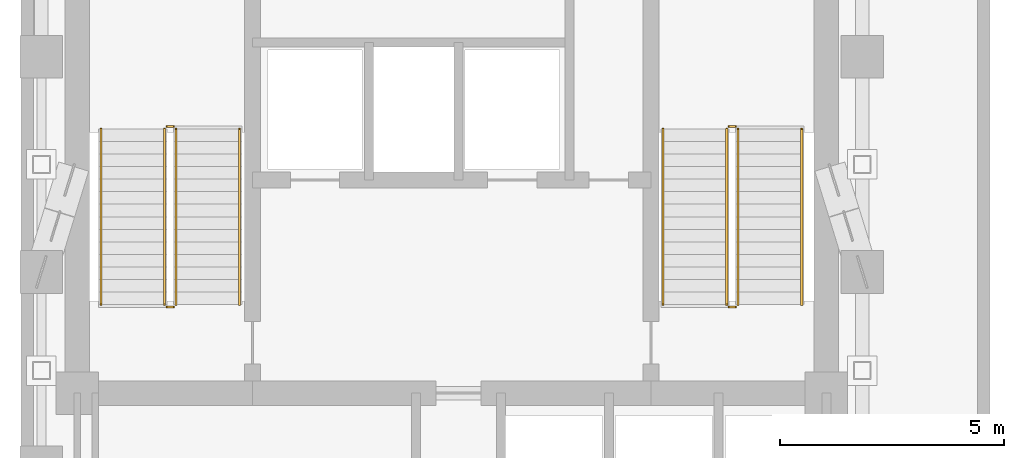
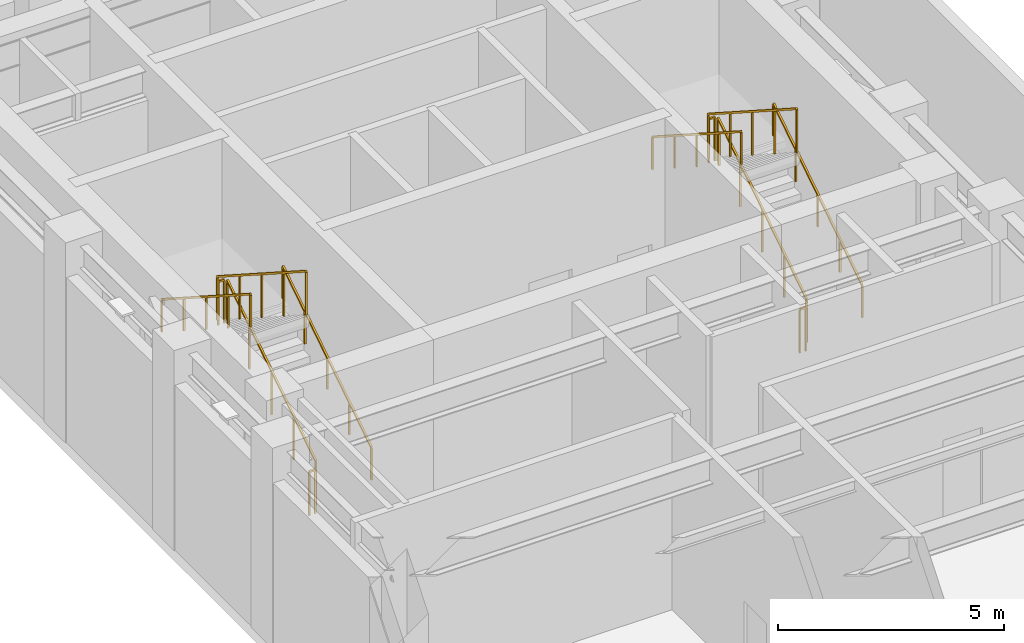
# One storey, part 8 of 9: 12 railings.
"""IFC4 building model written with IfcOpenShell, lengths in metres."""

from ifc_helpers import new_model, si_unit, direction, frame, origin, origin_2d, place, context, subcontext, project, spatial, rectangle, extrude, material, type_object, element, save


model = new_model("IFC4")

# Units and contexts
model_context = context("Model", 3, precision=1e-05, world=origin(), true_north=direction((0.0, 1.0)))
body_context = subcontext(model_context, "Body", "Model", "MODEL_VIEW")
ifc_project = project(units=[si_unit("LENGTHUNIT", "METRE"), si_unit("AREAUNIT", "SQUARE_METRE"), si_unit("VOLUMEUNIT", "CUBIC_METRE"), si_unit("PLANEANGLEUNIT", "RADIAN"), si_unit("MASSUNIT", "GRAM", prefix="KILO")], contexts=[model_context])

# Site, building, storey
site_placement = place(None, origin())
site = spatial("IfcSite", under=ifc_project, at=site_placement, CompositionType="ELEMENT")
building_placement = place(site_placement, origin())
building = spatial("IfcBuilding", under=site, at=building_placement, Name="Orvandelia Arch Residences", CompositionType="ELEMENT")
storey_placement = place(building_placement, frame((0.0, 0.0, 198.39990234375)))
storey = spatial("IfcBuildingStorey", under=building, at=storey_placement, Name="L52", CompositionType="ELEMENT", Elevation=198.39990234375)

# Railings
ifc_material = material(Name="Brushed Stainless Steel 304", Category="steel")
railing_type_1 = type_object("IfcRailingType", Name="RL-STAIR-GD1120", PredefinedType="GUARDRAIL", material=ifc_material)
railing_1_placement = place(storey_placement, frame((8.25, 32.8701171875, 0.18017578125)))
element("IfcRailing", 1, at=railing_1_placement, inside=storey, type_object=railing_type_1, Name="L52 ST-1 stair guard 1", PredefinedType="GUARDRAIL", context=body_context, shape_type="SweptSolid", body=[
    extrude(rectangle(XDim=0.048095703125, YDim=0.048095703125, at=origin_2d()), frame((0.0, 0.0, 1.17578125), z_axis=(0.0, 0.841171666519, 0.540768182723), x_axis=(-1.0, 0.0, 0.0)), (0.0, 0.0, 1.0), 4.66015625),
    extrude(rectangle(XDim=0.0419921875, YDim=0.0419921875, at=origin_2d()), origin(), (0.0, 0.0, 1.0), 1.15185546875),
    extrude(rectangle(XDim=0.0419921875, YDim=0.0419921875, at=origin_2d()), frame((0.0, 0.97998046875, 0.6298828125)), (0.0, 0.0, 1.0), 1.15185546875),
    extrude(rectangle(XDim=0.0419921875, YDim=0.0419921875, at=origin_2d()), frame((0.0, 1.9599609375, 1.260009765625)), (0.0, 0.0, 1.0), 1.15185546875),
    extrude(rectangle(XDim=0.0419921875, YDim=0.0419921875, at=origin_2d()), frame((0.0, 2.93994140625, 1.89013671875)), (0.0, 0.0, 1.0), 1.15185546875),
    extrude(rectangle(XDim=0.0419921875, YDim=0.0419921875, at=origin_2d()), frame((0.0, 3.919921875, 2.52001953125)), (0.0, 0.0, 1.0), 1.15185546875),
])
railing_2_placement = place(storey_placement, frame((8.199951171875, 36.840087890625, 2.7001953125)))
element("IfcRailing", 2, at=railing_2_placement, inside=storey, type_object=railing_type_1, Name="L52 ST-1 stair guard 2", PredefinedType="GUARDRAIL", context=body_context, shape_type="SweptSolid", body=[
    extrude(rectangle(XDim=0.048095703125, YDim=0.048095703125, at=origin_2d()), frame((0.0, 0.0, 1.17578125), z_axis=(-1.0, 0.0, 0.0), x_axis=(0.0, -1.0, 0.0)), (0.0, 0.0, 1.0), 0.14990234375),
    extrude(rectangle(XDim=0.0419921875, YDim=0.0419921875, at=origin_2d()), origin(), (0.0, 0.0, 1.0), 1.15185546875),
    extrude(rectangle(XDim=0.0419921875, YDim=0.0419921875, at=origin_2d()), frame((-0.14990234375, 0.0, 0.0)), (0.0, 0.0, 1.0), 1.15185546875),
])
railing_3_placement = place(storey_placement, frame((8.0, 36.7900390625, 2.880126953125)))
element("IfcRailing", 3, at=railing_3_placement, inside=storey, type_object=railing_type_1, Name="L52 ST-1 stair guard 3", PredefinedType="GUARDRAIL", context=body_context, shape_type="SweptSolid", body=[
    extrude(rectangle(XDim=0.048095703125, YDim=0.048095703125, at=origin_2d()), frame((0.0, 0.0, 1.17578125), z_axis=(0.0, -0.841171666519, 0.540768182723), x_axis=(1.0, 0.0, 0.0)), (0.0, 0.0, 1.0), 4.66015625),
    extrude(rectangle(XDim=0.0419921875, YDim=0.0419921875, at=origin_2d()), origin(), (0.0, 0.0, 1.0), 1.15185546875),
    extrude(rectangle(XDim=0.0419921875, YDim=0.0419921875, at=origin_2d()), frame((0.0, -0.97998046875, 0.6298828125)), (0.0, 0.0, 1.0), 1.15185546875),
    extrude(rectangle(XDim=0.0419921875, YDim=0.0419921875, at=origin_2d()), frame((0.0, -1.9599609375, 1.260009765625)), (0.0, 0.0, 1.0), 1.15185546875),
    extrude(rectangle(XDim=0.0419921875, YDim=0.0419921875, at=origin_2d()), frame((0.0, -2.93994140625, 1.89013671875)), (0.0, 0.0, 1.0), 1.15185546875),
    extrude(rectangle(XDim=0.0419921875, YDim=0.0419921875, at=origin_2d()), frame((0.0, -3.919921875, 2.52001953125)), (0.0, 0.0, 1.0), 1.15185546875),
])
railing_4_placement = place(storey_placement, frame((8.199951171875, 32.820068359375, 0.0)))
element("IfcRailing", 4, at=railing_4_placement, inside=storey, type_object=railing_type_1, Name="L52 ST-1 stair guard 4", PredefinedType="GUARDRAIL", context=body_context, shape_type="SweptSolid", body=[
    extrude(rectangle(XDim=0.048095703125, YDim=0.048095703125, at=origin_2d()), frame((0.0, 0.0, 1.17578125), z_axis=(-1.0, 0.0, 0.0), x_axis=(0.0, -1.0, 0.0)), (0.0, 0.0, 1.0), 0.14990234375),
    extrude(rectangle(XDim=0.0419921875, YDim=0.0419921875, at=origin_2d()), origin(), (0.0, 0.0, 1.0), 1.15185546875),
    extrude(rectangle(XDim=0.0419921875, YDim=0.0419921875, at=origin_2d()), frame((-0.14990234375, 0.0, 0.0)), (0.0, 0.0, 1.0), 1.15185546875),
])
railing_5_placement = place(storey_placement, frame((20.780029296875, 32.8701171875, 0.18017578125)))
element("IfcRailing", 5, at=railing_5_placement, inside=storey, type_object=railing_type_1, Name="L52 ST-2 stair guard 1", PredefinedType="GUARDRAIL", context=body_context, shape_type="SweptSolid", body=[
    extrude(rectangle(XDim=0.048095703125, YDim=0.048095703125, at=origin_2d()), frame((0.0, 0.0, 1.17578125), z_axis=(0.0, 0.841171666519, 0.540768182723), x_axis=(-1.0, 0.0, 0.0)), (0.0, 0.0, 1.0), 4.66015625),
    extrude(rectangle(XDim=0.0419921875, YDim=0.0419921875, at=origin_2d()), origin(), (0.0, 0.0, 1.0), 1.15185546875),
    extrude(rectangle(XDim=0.0419921875, YDim=0.0419921875, at=origin_2d()), frame((0.0, 0.97998046875, 0.6298828125)), (0.0, 0.0, 1.0), 1.15185546875),
    extrude(rectangle(XDim=0.0419921875, YDim=0.0419921875, at=origin_2d()), frame((0.0, 1.9599609375, 1.260009765625)), (0.0, 0.0, 1.0), 1.15185546875),
    extrude(rectangle(XDim=0.0419921875, YDim=0.0419921875, at=origin_2d()), frame((0.0, 2.93994140625, 1.89013671875)), (0.0, 0.0, 1.0), 1.15185546875),
    extrude(rectangle(XDim=0.0419921875, YDim=0.0419921875, at=origin_2d()), frame((0.0, 3.919921875, 2.52001953125)), (0.0, 0.0, 1.0), 1.15185546875),
])
railing_6_placement = place(storey_placement, frame((20.72998046875, 36.840087890625, 2.7001953125)))
element("IfcRailing", 6, at=railing_6_placement, inside=storey, type_object=railing_type_1, Name="L52 ST-2 stair guard 2", PredefinedType="GUARDRAIL", context=body_context, shape_type="SweptSolid", body=[
    extrude(rectangle(XDim=0.048095703125, YDim=0.048095703125, at=origin_2d()), frame((0.0, 0.0, 1.17578125), z_axis=(-1.0, 0.0, 0.0), x_axis=(0.0, -1.0, 0.0)), (0.0, 0.0, 1.0), 0.14990234375),
    extrude(rectangle(XDim=0.0419921875, YDim=0.0419921875, at=origin_2d()), origin(), (0.0, 0.0, 1.0), 1.15185546875),
    extrude(rectangle(XDim=0.0419921875, YDim=0.0419921875, at=origin_2d()), frame((-0.14990234375, 0.0, 0.0)), (0.0, 0.0, 1.0), 1.15185546875),
])
railing_7_placement = place(storey_placement, frame((20.530029296875, 36.7900390625, 2.880126953125)))
element("IfcRailing", 7, at=railing_7_placement, inside=storey, type_object=railing_type_1, Name="L52 ST-2 stair guard 3", PredefinedType="GUARDRAIL", context=body_context, shape_type="SweptSolid", body=[
    extrude(rectangle(XDim=0.048095703125, YDim=0.048095703125, at=origin_2d()), frame((0.0, 0.0, 1.17578125), z_axis=(0.0, -0.841171666519, 0.540768182723), x_axis=(1.0, 0.0, 0.0)), (0.0, 0.0, 1.0), 4.66015625),
    extrude(rectangle(XDim=0.0419921875, YDim=0.0419921875, at=origin_2d()), origin(), (0.0, 0.0, 1.0), 1.15185546875),
    extrude(rectangle(XDim=0.0419921875, YDim=0.0419921875, at=origin_2d()), frame((0.0, -0.97998046875, 0.6298828125)), (0.0, 0.0, 1.0), 1.15185546875),
    extrude(rectangle(XDim=0.0419921875, YDim=0.0419921875, at=origin_2d()), frame((0.0, -1.9599609375, 1.260009765625)), (0.0, 0.0, 1.0), 1.15185546875),
    extrude(rectangle(XDim=0.0419921875, YDim=0.0419921875, at=origin_2d()), frame((0.0, -2.93994140625, 1.89013671875)), (0.0, 0.0, 1.0), 1.15185546875),
    extrude(rectangle(XDim=0.0419921875, YDim=0.0419921875, at=origin_2d()), frame((0.0, -3.919921875, 2.52001953125)), (0.0, 0.0, 1.0), 1.15185546875),
])
railing_8_placement = place(storey_placement, frame((20.72998046875, 32.820068359375, 0.0)))
element("IfcRailing", 8, at=railing_8_placement, inside=storey, type_object=railing_type_1, Name="L52 ST-2 stair guard 4", PredefinedType="GUARDRAIL", context=body_context, shape_type="SweptSolid", body=[
    extrude(rectangle(XDim=0.048095703125, YDim=0.048095703125, at=origin_2d()), frame((0.0, 0.0, 1.17578125), z_axis=(-1.0, 0.0, 0.0), x_axis=(0.0, -1.0, 0.0)), (0.0, 0.0, 1.0), 0.14990234375),
    extrude(rectangle(XDim=0.0419921875, YDim=0.0419921875, at=origin_2d()), origin(), (0.0, 0.0, 1.0), 1.15185546875),
    extrude(rectangle(XDim=0.0419921875, YDim=0.0419921875, at=origin_2d()), frame((-0.14990234375, 0.0, 0.0)), (0.0, 0.0, 1.0), 1.15185546875),
])
railing_type_2 = type_object("IfcRailingType", Name="RL-STAIR-HR920", PredefinedType="HANDRAIL", material=ifc_material)
railing_9_placement = place(storey_placement, frame((9.669921875, 32.8701171875, 0.360107421875)))
element("IfcRailing", 9, at=railing_9_placement, inside=storey, type_object=railing_type_2, Name="L52 ST-1 stair handrail 1", PredefinedType="HANDRAIL", context=body_context, shape_type="SweptSolid", body=[
    extrude(rectangle(XDim=0.048095703125, YDim=0.048095703125, at=origin_2d()), frame((0.0, 0.0, 0.8759765625), z_axis=(0.0, 0.841171666519, 0.540768182723), x_axis=(-1.0, 0.0, 0.0)), (0.0, 0.0, 1.0), 4.66015625),
    extrude(rectangle(XDim=0.0419921875, YDim=0.0419921875, at=origin_2d()), origin(), (0.0, 0.0, 1.0), 0.851806640625),
    extrude(rectangle(XDim=0.0419921875, YDim=0.0419921875, at=origin_2d()), frame((0.0, 0.97998046875, 0.6298828125)), (0.0, 0.0, 1.0), 0.851806640625),
    extrude(rectangle(XDim=0.0419921875, YDim=0.0419921875, at=origin_2d()), frame((0.0, 1.9599609375, 1.260009765625)), (0.0, 0.0, 1.0), 0.851806640625),
    extrude(rectangle(XDim=0.0419921875, YDim=0.0419921875, at=origin_2d()), frame((0.0, 2.93994140625, 1.89013671875)), (0.0, 0.0, 1.0), 0.851806640625),
    extrude(rectangle(XDim=0.0419921875, YDim=0.0419921875, at=origin_2d()), frame((0.0, 3.919921875, 2.52001953125)), (0.0, 0.0, 1.0), 0.851806640625),
])
railing_10_placement = place(storey_placement, frame((6.580078125, 36.7900390625, 3.06005859375)))
element("IfcRailing", 10, at=railing_10_placement, inside=storey, type_object=railing_type_2, Name="L52 ST-1 stair handrail 2", PredefinedType="HANDRAIL", context=body_context, shape_type="SweptSolid", body=[
    extrude(rectangle(XDim=0.048095703125, YDim=0.048095703125, at=origin_2d()), frame((0.0, 0.0, 0.8759765625), z_axis=(0.0, -0.841171666519, 0.540768182723), x_axis=(1.0, 0.0, 0.0)), (0.0, 0.0, 1.0), 4.66015625),
    extrude(rectangle(XDim=0.0419921875, YDim=0.0419921875, at=origin_2d()), origin(), (0.0, 0.0, 1.0), 0.851806640625),
    extrude(rectangle(XDim=0.0419921875, YDim=0.0419921875, at=origin_2d()), frame((0.0, -0.97998046875, 0.6298828125)), (0.0, 0.0, 1.0), 0.851806640625),
    extrude(rectangle(XDim=0.0419921875, YDim=0.0419921875, at=origin_2d()), frame((0.0, -1.9599609375, 1.260009765625)), (0.0, 0.0, 1.0), 0.851806640625),
    extrude(rectangle(XDim=0.0419921875, YDim=0.0419921875, at=origin_2d()), frame((0.0, -2.93994140625, 1.89013671875)), (0.0, 0.0, 1.0), 0.851806640625),
    extrude(rectangle(XDim=0.0419921875, YDim=0.0419921875, at=origin_2d()), frame((0.0, -3.919921875, 2.52001953125)), (0.0, 0.0, 1.0), 0.851806640625),
])
railing_11_placement = place(storey_placement, frame((22.199951171875, 32.8701171875, 0.360107421875)))
element("IfcRailing", 11, at=railing_11_placement, inside=storey, type_object=railing_type_2, Name="L52 ST-2 stair handrail 1", PredefinedType="HANDRAIL", context=body_context, shape_type="SweptSolid", body=[
    extrude(rectangle(XDim=0.048095703125, YDim=0.048095703125, at=origin_2d()), frame((0.0, 0.0, 0.8759765625), z_axis=(0.0, 0.841171666519, 0.540768182723), x_axis=(-1.0, 0.0, 0.0)), (0.0, 0.0, 1.0), 4.66015625),
    extrude(rectangle(XDim=0.0419921875, YDim=0.0419921875, at=origin_2d()), origin(), (0.0, 0.0, 1.0), 0.851806640625),
    extrude(rectangle(XDim=0.0419921875, YDim=0.0419921875, at=origin_2d()), frame((0.0, 0.97998046875, 0.6298828125)), (0.0, 0.0, 1.0), 0.851806640625),
    extrude(rectangle(XDim=0.0419921875, YDim=0.0419921875, at=origin_2d()), frame((0.0, 1.9599609375, 1.260009765625)), (0.0, 0.0, 1.0), 0.851806640625),
    extrude(rectangle(XDim=0.0419921875, YDim=0.0419921875, at=origin_2d()), frame((0.0, 2.93994140625, 1.89013671875)), (0.0, 0.0, 1.0), 0.851806640625),
    extrude(rectangle(XDim=0.0419921875, YDim=0.0419921875, at=origin_2d()), frame((0.0, 3.919921875, 2.52001953125)), (0.0, 0.0, 1.0), 0.851806640625),
])
railing_12_placement = place(storey_placement, frame((19.110107421875, 36.7900390625, 3.06005859375)))
element("IfcRailing", 12, at=railing_12_placement, inside=storey, type_object=railing_type_2, Name="L52 ST-2 stair handrail 2", PredefinedType="HANDRAIL", context=body_context, shape_type="SweptSolid", body=[
    extrude(rectangle(XDim=0.048095703125, YDim=0.048095703125, at=origin_2d()), frame((0.0, 0.0, 0.8759765625), z_axis=(0.0, -0.841171666519, 0.540768182723), x_axis=(1.0, 0.0, 0.0)), (0.0, 0.0, 1.0), 4.66015625),
    extrude(rectangle(XDim=0.0419921875, YDim=0.0419921875, at=origin_2d()), origin(), (0.0, 0.0, 1.0), 0.851806640625),
    extrude(rectangle(XDim=0.0419921875, YDim=0.0419921875, at=origin_2d()), frame((0.0, -0.97998046875, 0.6298828125)), (0.0, 0.0, 1.0), 0.851806640625),
    extrude(rectangle(XDim=0.0419921875, YDim=0.0419921875, at=origin_2d()), frame((0.0, -1.9599609375, 1.260009765625)), (0.0, 0.0, 1.0), 0.851806640625),
    extrude(rectangle(XDim=0.0419921875, YDim=0.0419921875, at=origin_2d()), frame((0.0, -2.93994140625, 1.89013671875)), (0.0, 0.0, 1.0), 0.851806640625),
    extrude(rectangle(XDim=0.0419921875, YDim=0.0419921875, at=origin_2d()), frame((0.0, -3.919921875, 2.52001953125)), (0.0, 0.0, 1.0), 0.851806640625),
])

save(model, "model.ifc")
